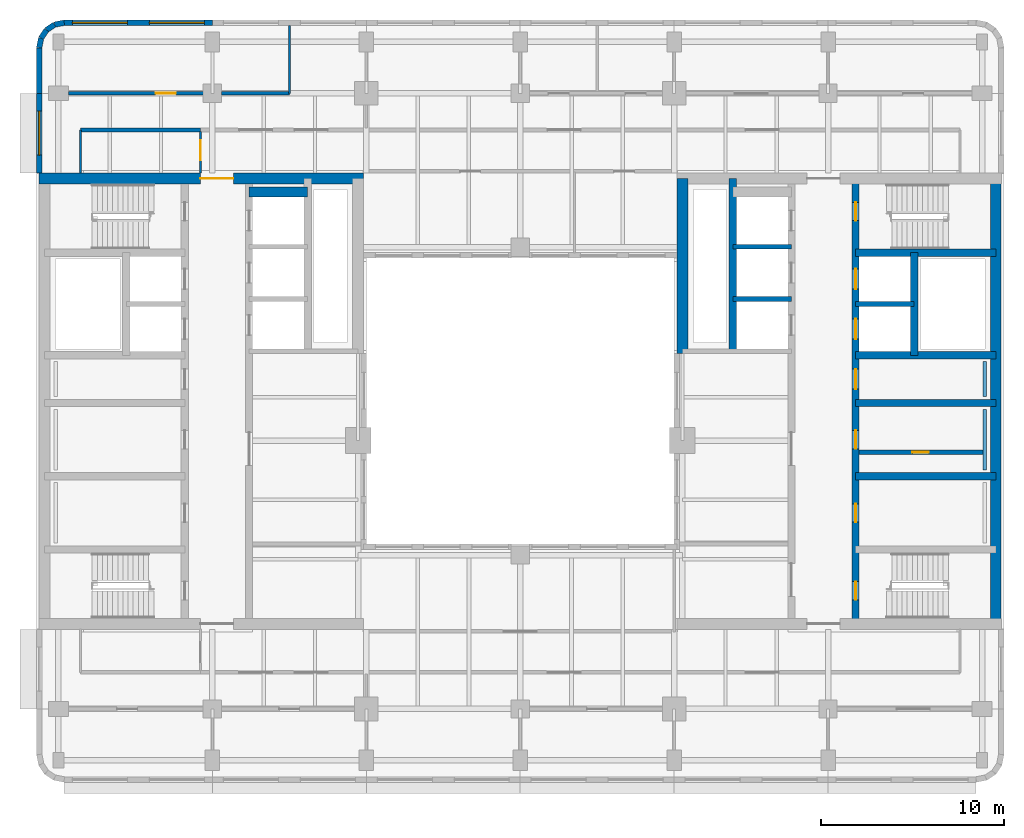
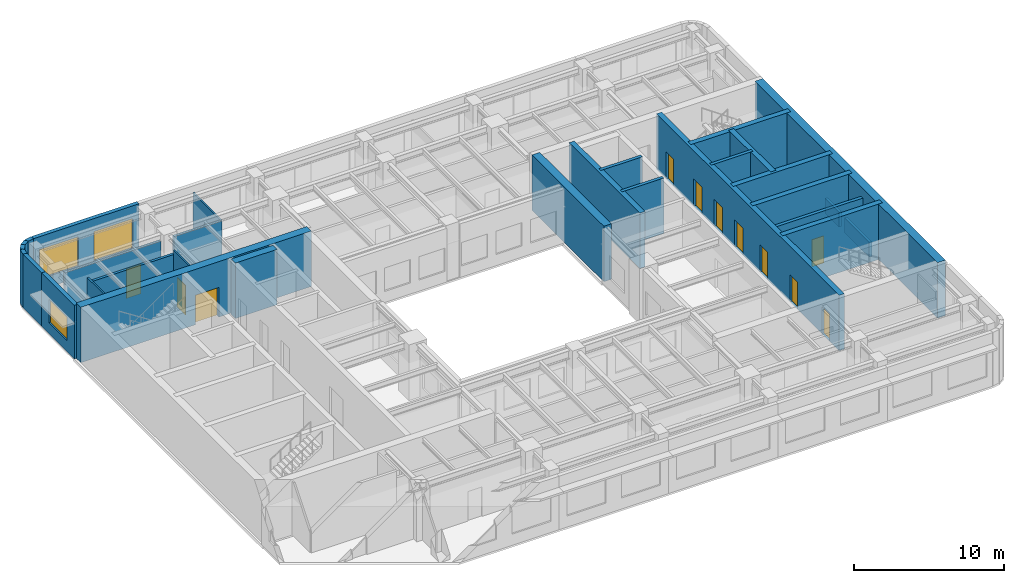
# One storey, part 6 of 11: 30 walls, 11 doors, 3 windows, 14 openings.
"""IFC4 building model written with IfcOpenShell, lengths in metres."""

from ifc_helpers import new_model, si_unit, direction, frame, frame_2d, origin, place, context, subcontext, project, spatial, rectangle, extrude, material, layer, layer_set, type_object, element, fill, save


model = new_model("IFC4")

# Units and contexts
model_context = context("Model", 3, precision=1e-05, world=origin(), true_north=direction((0.0, 1.0)))
body_context = subcontext(model_context, "Body", "Model", "MODEL_VIEW")
ifc_project = project(units=[si_unit("LENGTHUNIT", "METRE"), si_unit("AREAUNIT", "SQUARE_METRE"), si_unit("VOLUMEUNIT", "CUBIC_METRE"), si_unit("PLANEANGLEUNIT", "RADIAN"), si_unit("MASSUNIT", "GRAM", prefix="KILO")], contexts=[model_context])

# Site, building, storey
site_placement = place(None, origin())
site = spatial("IfcSite", under=ifc_project, at=site_placement, CompositionType="ELEMENT")
building_placement = place(site_placement, origin())
building = spatial("IfcBuilding", under=site, at=building_placement, Name="Claustro Exchange Tower", CompositionType="ELEMENT")
storey_placement = place(building_placement, frame((0.0, 0.0, 272.699951171875)))
storey = spatial("IfcBuildingStorey", under=building, at=storey_placement, Name="L62", CompositionType="ELEMENT", Elevation=272.699951171875)

# Wall
ifc_material_1 = material(Name="Laminated glass in aluminium frame", Category="aluminium")
ifc_layer_1 = layer(ifc_material_1, 0.1201171875)
ifc_layer_set_1 = layer_set([ifc_layer_1], Name="Laminated glass in aluminium frame")
wall_type_1 = type_object("IfcWallType", Name="P2 120 glazed partition", PredefinedType="PARTITIONING", material=ifc_layer_set_1)
wall_1_placement = place(storey_placement, frame((12.60009765625, 42.0, 0.0), z_axis=(0.0, 0.0, 1.0), x_axis=(0.0, 1.0, 0.0)))
element("IfcWall", 1, at=wall_1_placement, inside=storey, type_object=wall_type_1, Name="Partition P2 L62", PredefinedType="PARTITIONING", context=body_context, shape_type="SweptSolid", body=[
    extrude(rectangle(XDim=3.701904296875, YDim=0.1201171875, at=frame_2d((1.85107421875, 0.0))), origin(), (0.0, 0.0, 1.0), 3.800048828125),
])

# Wall, opening, door
wall_2_placement = place(storey_placement, frame((7.75, 37.64794921875, 0.0), z_axis=(0.0, 0.0, 1.0), x_axis=(0.0, 1.0, 0.0)))
wall_2 = element("IfcWall", 2, at=wall_2_placement, inside=storey, type_object=wall_type_1, Name="Partition P2 L62", PredefinedType="PARTITIONING", context=body_context, shape_type="SweptSolid", body=[
    extrude(rectangle(XDim=2.254150390625, YDim=0.1201171875, at=frame_2d((1.126953125, 0.0))), origin(), (0.0, 0.0, 1.0), 4.35009765625),
])
opening_1_placement = place(wall_2_placement, frame((0.701904296875, 0.0, 0.0)))
opening_1 = element("IfcOpeningElement", 3, at=opening_1_placement, cuts=wall_2, Name="Opening D8", PredefinedType="OPENING", context=body_context, shape_type="SweptSolid", body=[
    extrude(rectangle(XDim=1.10009765625, YDim=2.39990234375, at=frame_2d((0.550048828125, 1.199951171875))), frame((0.0, 0.070068359375, 0.0), z_axis=(0.0, -1.0, 0.0), x_axis=(1.0, 0.0, 0.0)), (0.0, 0.0, 1.0), 0.14013671875),
])
ifc_material_2 = material(Name="Timber door, walnut veneer", Category="wood")
door_type_1 = type_object("IfcDoorType", Name="D8 1100 x 2400 executive door", OperationType="SINGLE_SWING_LEFT", PredefinedType="DOOR", material=ifc_material_2)
door_1_placement = place(opening_1_placement, origin())
door_1 = element("IfcDoor", 4, at=door_1_placement, inside=storey, type_object=door_type_1, Name="Door D8 L62", OperationType="SINGLE_SWING_RIGHT", OverallHeight=2.39990234375, OverallWidth=1.10009765625, PredefinedType="DOOR", context=body_context, shape_type="SweptSolid", body=[
    extrude(rectangle(XDim=1.10009765625, YDim=2.39990234375, at=frame_2d((0.550048828125, 1.199951171875))), frame((0.0, 0.02490234375, 0.0), z_axis=(0.0, -1.0, 0.0), x_axis=(1.0, 0.0, 0.0)), (0.0, 0.0, 1.0), 0.050048828125),
])
fill(opening_1, door_1)

# Wall
wall_3_placement = place(storey_placement, frame((1.199951171875, 37.64794921875, 0.0), z_axis=(0.0, 0.0, 1.0), x_axis=(0.0, 1.0, 0.0)))
element("IfcWall", 5, at=wall_3_placement, inside=storey, type_object=wall_type_1, Name="Partition P2 L62", PredefinedType="PARTITIONING", context=body_context, shape_type="SweptSolid", body=[
    extrude(rectangle(XDim=2.35205078125, YDim=0.1201171875, at=frame_2d((1.176025390625, 0.0))), origin(), (0.0, 0.0, 1.0), 4.35009765625),
])

# Wall, opening, door
ifc_material_3 = material(Name="Twin-skin gypsum board on steel studs, mineral wool", Category="steel")
ifc_layer_2 = layer(ifc_material_3, 0.199951171875)
ifc_layer_set_2 = layer_set([ifc_layer_2], Name="Twin-skin gypsum board on steel studs, mineral wool")
wall_type_2 = type_object("IfcWallType", Name="P3 200 acoustic partition", PredefinedType="PARTITIONING", material=ifc_layer_set_2)
wall_4_placement = place(storey_placement, frame((0.549072265625, 42.0, 0.0), z_axis=(0.0, 0.0, 1.0), x_axis=(1.0, 0.0, 0.0)))
wall_4 = element("IfcWall", 6, at=wall_4_placement, inside=storey, type_object=wall_type_2, Name="Partition P3 L62", PredefinedType="PARTITIONING", context=body_context, shape_type="SweptSolid", body=[
    extrude(rectangle(XDim=7.351806640625, YDim=0.199951171875, at=frame_2d((3.67578125, 0.0))), origin(), (0.0, 0.0, 1.0), 3.800048828125),
])
opening_2_placement = place(wall_4_placement, frame((4.7509765625, 0.0, 0.0)))
opening_2 = element("IfcOpeningElement", 7, at=opening_2_placement, cuts=wall_4, Name="Opening D8", PredefinedType="OPENING", context=body_context, shape_type="SweptSolid", body=[
    extrude(rectangle(XDim=1.10009765625, YDim=2.39990234375, at=frame_2d((0.550048828125, 1.199951171875))), frame((0.0, 0.10986328125, 0.0), z_axis=(0.0, -1.0, 0.0), x_axis=(1.0, 0.0, 0.0)), (0.0, 0.0, 1.0), 0.219970703125),
])
door_2_placement = place(opening_2_placement, origin())
door_2 = element("IfcDoor", 8, at=door_2_placement, inside=storey, type_object=door_type_1, Name="Door D8 L62", OperationType="SINGLE_SWING_RIGHT", OverallHeight=2.39990234375, OverallWidth=1.10009765625, PredefinedType="DOOR", context=body_context, shape_type="SweptSolid", body=[
    extrude(rectangle(XDim=1.10009765625, YDim=2.39990234375, at=frame_2d((0.550048828125, 1.199951171875))), frame((0.0, 0.02490234375, 0.0), z_axis=(0.0, -1.0, 0.0), x_axis=(1.0, 0.0, 0.0)), (0.0, 0.0, 1.0), 0.050048828125),
])
fill(opening_2, door_2)

# Walls
wall_5_placement = place(storey_placement, frame((8.89892578125, 42.0, 0.0), z_axis=(0.0, 0.0, 1.0), x_axis=(1.0, 0.0, 0.0)))
element("IfcWall", 9, at=wall_5_placement, inside=storey, type_object=wall_type_2, Name="Partition P3 L62", PredefinedType="PARTITIONING", context=body_context, shape_type="SweptSolid", body=[
    extrude(rectangle(XDim=3.701171875, YDim=0.199951171875, at=frame_2d((1.8505859375, 0.0))), origin(), (0.0, 0.0, 1.0), 3.800048828125),
])
wall_6_placement = place(storey_placement, frame((1.199951171875, 40.0, 0.0), z_axis=(0.0, 0.0, 1.0), x_axis=(1.0, 0.0, 0.0)))
element("IfcWall", 10, at=wall_6_placement, inside=storey, type_object=wall_type_2, Name="Partition P3 L62", PredefinedType="PARTITIONING", context=body_context, shape_type="SweptSolid", body=[
    extrude(rectangle(XDim=6.552001953125, YDim=0.199951171875, at=frame_2d((3.27587890625, 0.0))), origin(), (0.0, 0.0, 1.0), 3.989990234375),
])

# Wall, opening, door
ifc_material_4 = material(Name="Concrete blockwork, rendered", Category="masonry")
ifc_layer_3 = layer(ifc_material_4, 0.25)
ifc_layer_set_3 = layer_set([ifc_layer_3], Name="Concrete blockwork, rendered")
wall_type_3 = type_object("IfcWallType", Name="P4 250 blockwork wall", PredefinedType="PARTITIONING", material=ifc_layer_set_3)
wall_7_placement = place(storey_placement, frame((43.699951171875, 22.39990234375, 0.0), z_axis=(0.0, 0.0, 1.0), x_axis=(1.0, 0.0, 0.0)))
wall_7 = element("IfcWall", 11, at=wall_7_placement, inside=storey, type_object=wall_type_3, Name="Partition P4 L62", PredefinedType="PARTITIONING", context=body_context, shape_type="SweptSolid", body=[
    extrude(rectangle(XDim=6.75, YDim=0.25, at=frame_2d((3.375, 0.0))), origin(), (0.0, 0.0, 1.0), 4.300048828125),
])
opening_3_placement = place(wall_7_placement, frame((2.89990234375, 0.0, 0.0)))
opening_3 = element("IfcOpeningElement", 12, at=opening_3_placement, cuts=wall_7, Name="Opening D5", PredefinedType="OPENING", context=body_context, shape_type="SweptSolid", body=[
    extrude(rectangle(XDim=0.89990234375, YDim=2.199951171875, at=frame_2d((0.449951171875, 1.10009765625))), frame((0.0, 0.135009765625, 0.0), z_axis=(0.0, -1.0, 0.0), x_axis=(1.0, 0.0, 0.0)), (0.0, 0.0, 1.0), 0.27001953125),
])
ifc_material_5 = material(Name="Steel door, painted", Category="steel")
door_type_2 = type_object("IfcDoorType", Name="D5 900 x 2200 store door", OperationType="SINGLE_SWING_LEFT", PredefinedType="DOOR", material=ifc_material_5)
door_3_placement = place(opening_3_placement, frame((0.89990234375, 0.0, 0.0), z_axis=(0.0, 0.0, 1.0), x_axis=(-1.0, 0.0, 0.0)))
door_3 = element("IfcDoor", 13, at=door_3_placement, inside=storey, type_object=door_type_2, Name="Store door D5 L62", OperationType="SINGLE_SWING_LEFT", OverallHeight=2.199951171875, OverallWidth=0.89990234375, PredefinedType="DOOR", context=body_context, shape_type="SweptSolid", body=[
    extrude(rectangle(XDim=0.89990234375, YDim=2.199951171875, at=frame_2d((0.449951171875, 1.10009765625))), frame((0.0, 0.02490234375, 0.0), z_axis=(0.0, -1.0, 0.0), x_axis=(1.0, 0.0, 0.0)), (0.0, 0.0, 1.0), 0.050048828125),
])
fill(opening_3, door_3)

# Wall, opening, window
ifc_material_6 = material(Name="Concrete HA-40 (C40/50), precast, white cement, acid-etched", Category="concrete")
ifc_layer_4 = layer(ifc_material_6, 0.300048828125)
ifc_layer_set_4 = layer_set([ifc_layer_4], Name="Concrete HA-40 (C40/50), precast, white cement, acid-etched")
wall_type_4 = type_object("IfcWallType", Name="PC1 300 precast concrete pier panel", PredefinedType="SOLIDWALL", material=ifc_layer_set_4)
wall_8_placement = place(storey_placement, frame((-1.050048828125, 37.64990234375, 0.0), z_axis=(0.0, 0.0, 1.0), x_axis=(0.0, 1.0, 0.0)))
wall_8 = element("IfcWall", 14, at=wall_8_placement, inside=storey, type_object=wall_type_4, Name="Precast pier panel PC1 L62", PredefinedType="SOLIDWALL", context=body_context, shape_type="SweptSolid", body=[
    extrude(rectangle(XDim=4.35009765625, YDim=0.300048828125, at=frame_2d((2.175048828125, 0.0))), origin(), (0.0, 0.0, 1.0), 4.35009765625),
])
opening_4_placement = place(wall_8_placement, frame((0.97509765625, 0.0, 0.89990234375)))
opening_4 = element("IfcOpeningElement", 15, at=opening_4_placement, cuts=wall_8, Name="Opening W2", PredefinedType="OPENING", context=body_context, shape_type="SweptSolid", body=[
    extrude(rectangle(XDim=2.39990234375, YDim=1.89990234375, at=frame_2d((1.199951171875, 0.949951171875))), frame((0.0, 0.159912109375, 0.0), z_axis=(0.0, -1.0, 0.0), x_axis=(1.0, 0.0, 0.0)), (0.0, 0.0, 1.0), 0.320068359375),
])
ifc_material_7 = material(Name="Aluminium frame, clear double glazing", Category="aluminium")
window_type_1 = type_object("IfcWindowType", Name="W2 2400 x 1900 window", PartitioningType="SINGLE_PANEL", PredefinedType="WINDOW", material=ifc_material_7)
window_1_placement = place(opening_4_placement, origin())
window_1 = element("IfcWindow", 16, at=window_1_placement, inside=storey, type_object=window_type_1, Name="Window W2 L62", OverallHeight=1.89990234375, OverallWidth=2.39990234375, PartitioningType="SINGLE_PANEL", PredefinedType="WINDOW", context=body_context, shape_type="SweptSolid", body=[
    extrude(rectangle(XDim=2.39990234375, YDim=1.89990234375, at=frame_2d((1.199951171875, 0.949951171875))), frame((0.0, 0.030029296875, 0.0), z_axis=(0.0, -1.0, 0.0), x_axis=(1.0, 0.0, 0.0)), (0.0, 0.0, 1.0), 0.06005859375),
])
fill(opening_4, window_1)

# Walls
wall_9_placement = place(storey_placement, frame((-1.050048828125, 42.0, 0.0), z_axis=(0.0, 0.0, 1.0), x_axis=(0.0, 1.0, 0.0)))
element("IfcWall", 17, at=wall_9_placement, inside=storey, type_object=wall_type_4, Name="Precast pier panel PC1 L62", PredefinedType="SOLIDWALL", context=body_context, shape_type="SweptSolid", body=[
    extrude(rectangle(XDim=2.485107421875, YDim=0.300048828125, at=frame_2d((1.24267578125, 0.0))), origin(), (0.0, 0.0, 1.0), 4.35009765625),
])
wall_10_placement = place(storey_placement, frame((-1.050048828125, 44.485107421875, 0.0), z_axis=(0.0, 0.0, 1.0), x_axis=(0.195073962632, 0.980788534345, 0.0)))
element("IfcWall", 18, at=wall_10_placement, inside=storey, type_object=wall_type_4, Name="Precast pier panel PC1 L62", PredefinedType="SOLIDWALL", context=body_context, shape_type="SweptSolid", body=[
    extrude(rectangle(XDim=0.540771484375, YDim=0.300048828125, at=frame_2d((0.2705078125, 0.0))), origin(), (0.0, 0.0, 1.0), 4.35009765625),
])
wall_11_placement = place(storey_placement, frame((-0.944580078125, 45.015380859375, 0.0), z_axis=(0.0, 0.0, 1.0), x_axis=(0.55534295404, 0.831621430339, 0.0)))
element("IfcWall", 19, at=wall_11_placement, inside=storey, type_object=wall_type_4, Name="Precast pier panel PC1 L62", PredefinedType="SOLIDWALL", context=body_context, shape_type="SweptSolid", body=[
    extrude(rectangle(XDim=0.52587890625, YDim=0.300048828125, at=frame_2d((0.262939453125, 0.0))), origin(), (0.0, 0.0, 1.0), 4.35009765625),
])
wall_12_placement = place(storey_placement, frame((-0.652587890625, 45.45263671875, 0.0), z_axis=(0.0, 0.0, 1.0), x_axis=(0.831692711774, 0.555236195849, 0.0)))
element("IfcWall", 20, at=wall_12_placement, inside=storey, type_object=wall_type_4, Name="Precast pier panel PC1 L62", PredefinedType="SOLIDWALL", context=body_context, shape_type="SweptSolid", body=[
    extrude(rectangle(XDim=0.525390625, YDim=0.300048828125, at=frame_2d((0.2626953125, 0.0))), origin(), (0.0, 0.0, 1.0), 4.35009765625),
])
wall_13_placement = place(storey_placement, frame((-0.215576171875, 45.744384765625, 0.0), z_axis=(0.0, 0.0, 1.0), x_axis=(0.980702050465, 0.1955082817, 0.0)))
element("IfcWall", 21, at=wall_13_placement, inside=storey, type_object=wall_type_4, Name="Precast pier panel PC1 L62", PredefinedType="SOLIDWALL", context=body_context, shape_type="SweptSolid", body=[
    extrude(rectangle(XDim=0.540771484375, YDim=0.300048828125, at=frame_2d((0.2705078125, 0.0))), origin(), (0.0, 0.0, 1.0), 4.35009765625),
])

# Wall, openings, windows
wall_14_placement = place(storey_placement, frame((0.314697265625, 45.85009765625, 0.0), z_axis=(0.0, 0.0, 1.0), x_axis=(1.0, 0.0, 0.0)))
wall_14 = element("IfcWall", 22, at=wall_14_placement, inside=storey, type_object=wall_type_4, Name="Precast pier panel PC1 L62", PredefinedType="SOLIDWALL", context=body_context, shape_type="SweptSolid", body=[
    extrude(rectangle(XDim=8.085205078125, YDim=0.300048828125, at=frame_2d((4.04248046875, 0.0))), origin(), (0.0, 0.0, 1.0), 4.35009765625),
])
opening_5_placement = place(wall_14_placement, frame((0.442626953125, 0.0, 0.89990234375)))
opening_5 = element("IfcOpeningElement", 23, at=opening_5_placement, cuts=wall_14, Name="Opening W3", PredefinedType="OPENING", context=body_context, shape_type="SweptSolid", body=[
    extrude(rectangle(XDim=3.0, YDim=2.39990234375, at=frame_2d((1.5, 1.199951171875))), frame((0.0, 0.159912109375, 0.0), z_axis=(0.0, -1.0, 0.0), x_axis=(1.0, 0.0, 0.0)), (0.0, 0.0, 1.0), 0.320068359375),
])
opening_6_placement = place(wall_14_placement, frame((4.642578125, 0.0, 0.89990234375)))
opening_6 = element("IfcOpeningElement", 24, at=opening_6_placement, cuts=wall_14, Name="Opening W3", PredefinedType="OPENING", context=body_context, shape_type="SweptSolid", body=[
    extrude(rectangle(XDim=3.0, YDim=2.39990234375, at=frame_2d((1.5, 1.199951171875))), frame((0.0, 0.159912109375, 0.0), z_axis=(0.0, -1.0, 0.0), x_axis=(1.0, 0.0, 0.0)), (0.0, 0.0, 1.0), 0.320068359375),
])
ifc_material_8 = material(Name="Aluminium frame, clear double glazing", Category="aluminium")
window_type_2 = type_object("IfcWindowType", Name="W3 3000 x 2400 window", PartitioningType="SINGLE_PANEL", PredefinedType="WINDOW", material=ifc_material_8)
window_2_placement = place(opening_5_placement, origin())
window_2 = element("IfcWindow", 25, at=window_2_placement, inside=storey, type_object=window_type_2, Name="Window W3 L62", OverallHeight=2.39990234375, OverallWidth=3.0, PartitioningType="SINGLE_PANEL", PredefinedType="WINDOW", context=body_context, shape_type="SweptSolid", body=[
    extrude(rectangle(XDim=3.0, YDim=2.39990234375, at=frame_2d((1.5, 1.199951171875))), frame((0.0, 0.030029296875, 0.0), z_axis=(0.0, -1.0, 0.0), x_axis=(1.0, 0.0, 0.0)), (0.0, 0.0, 1.0), 0.06005859375),
])
fill(opening_5, window_2)
window_3_placement = place(opening_6_placement, origin())
window_3 = element("IfcWindow", 26, at=window_3_placement, inside=storey, type_object=window_type_2, Name="Window W3 L62", OverallHeight=2.39990234375, OverallWidth=3.0, PartitioningType="SINGLE_PANEL", PredefinedType="WINDOW", context=body_context, shape_type="SweptSolid", body=[
    extrude(rectangle(XDim=3.0, YDim=2.39990234375, at=frame_2d((1.5, 1.199951171875))), frame((0.0, 0.030029296875, 0.0), z_axis=(0.0, -1.0, 0.0), x_axis=(1.0, 0.0, 0.0)), (0.0, 0.0, 1.0), 0.06005859375),
])
fill(opening_6, window_3)

# Walls
ifc_material_9 = material(Name="Gypsum board on steel studs, tiled", Category="steel")
ifc_layer_5 = layer(ifc_material_9, 0.199951171875)
ifc_layer_set_5 = layer_set([ifc_layer_5], Name="Gypsum board on steel studs, tiled")
wall_type_5 = type_object("IfcWallType", Name="PW1 200 WC duct wall", PredefinedType="PLUMBINGWALL", material=ifc_layer_set_5)
wall_15_placement = place(storey_placement, frame((50.550048828125, 21.449951171875, 0.0), z_axis=(0.0, 0.0, 1.0), x_axis=(0.0, 1.0, 0.0)))
element("IfcWall", 27, at=wall_15_placement, inside=storey, type_object=wall_type_5, Name="WC duct wall PW1 L62", PredefinedType="PLUMBINGWALL", context=body_context, shape_type="SweptSolid", body=[
    extrude(rectangle(XDim=3.300048828125, YDim=0.199951171875, at=frame_2d((1.64990234375, 0.0))), origin(), (0.0, 0.0, 1.0), 1.199951171875),
])
wall_16_placement = place(storey_placement, frame((50.550048828125, 25.449951171875, 0.0), z_axis=(0.0, 0.0, 1.0), x_axis=(0.0, 1.0, 0.0)))
element("IfcWall", 28, at=wall_16_placement, inside=storey, type_object=wall_type_5, Name="WC duct wall PW1 L62", PredefinedType="PLUMBINGWALL", context=body_context, shape_type="SweptSolid", body=[
    extrude(rectangle(XDim=1.900146484375, YDim=0.199951171875, at=frame_2d((0.9501953125, 0.0))), origin(), (0.0, 0.0, 1.0), 1.199951171875),
])

# Wall, opening, door
ifc_material_10 = material(Name="Concrete HA-50 (C50/60)", Category="concrete")
ifc_layer_6 = layer(ifc_material_10, 0.60009765625)
ifc_layer_set_6 = layer_set([ifc_layer_6], Name="Concrete HA-50 (C50/60)")
wall_type_6 = type_object("IfcWallType", Name="SW3 600 core shear wall", PredefinedType="SHEAR", material=ifc_layer_set_6)
wall_17_placement = place(storey_placement, frame((-1.050048828125, 37.35009765625, 0.0), z_axis=(0.0, 0.0, 1.0), x_axis=(1.0, 0.0, 0.0)))
wall_17 = element("IfcWall", 29, at=wall_17_placement, inside=storey, type_object=wall_type_6, Name="Core wall SW3 W core N face L62", PredefinedType="SHEAR", context=body_context, shape_type="SweptSolid", body=[
    extrude(rectangle(XDim=17.699951171875, YDim=0.60009765625, at=frame_2d((8.85009765625, 0.0))), origin(), (0.0, 0.0, 1.0), 4.5),
])
opening_7_placement = place(wall_17_placement, frame((8.800048828125, 0.0, 0.0)))
opening_7 = element("IfcOpeningElement", 30, at=opening_7_placement, cuts=wall_17, Name="Opening D3", PredefinedType="OPENING", context=body_context, shape_type="SweptSolid", body=[
    extrude(rectangle(XDim=1.800048828125, YDim=2.39990234375, at=frame_2d((0.89990234375, 1.199951171875))), frame((0.0, 0.31005859375, 0.0), z_axis=(0.0, -1.0, 0.0), x_axis=(1.0, 0.0, 0.0)), (0.0, 0.0, 1.0), 0.6201171875),
])
ifc_material_11 = material(Name="Steel fire door, painted", Category="steel")
door_type_3 = type_object("IfcDoorType", Name="D3 1800 x 2400 fire-rated lobby double door", OperationType="DOUBLE_DOOR_SINGLE_SWING", PredefinedType="DOOR", material=ifc_material_11)
door_4_placement = place(opening_7_placement, origin())
door_4 = element("IfcDoor", 31, at=door_4_placement, inside=storey, type_object=door_type_3, Name="Lift lobby door D3 L62", OperationType="DOUBLE_DOOR_SINGLE_SWING", OverallHeight=2.39990234375, OverallWidth=1.800048828125, PredefinedType="DOOR", context=body_context, shape_type="SweptSolid", body=[
    extrude(rectangle(XDim=1.800048828125, YDim=2.39990234375, at=frame_2d((0.89990234375, 1.199951171875))), frame((0.0, 0.02490234375, 0.0), z_axis=(0.0, -1.0, 0.0), x_axis=(1.0, 0.0, 0.0)), (0.0, 0.0, 1.0), 0.050048828125),
])
fill(opening_7, door_4)

# Walls
ifc_material_12 = material(Name="Concrete HA-50 (C50/60)", Category="concrete")
ifc_layer_7 = layer(ifc_material_12, 0.60009765625)
ifc_layer_set_7 = layer_set([ifc_layer_7], Name="Concrete HA-50 (C50/60)")
wall_type_7 = type_object("IfcWallType", Name="SW3X 600 exposed core shear wall, board-marked face", PredefinedType="SHEAR", material=ifc_layer_set_7)
wall_18_placement = place(storey_placement, frame((34.050048828125, 27.800048828125, 0.0), z_axis=(0.0, 0.0, 1.0), x_axis=(0.0, 1.0, 0.0)))
element("IfcWall", 32, at=wall_18_placement, inside=storey, type_object=wall_type_7, Name="Core wall SW3X E core W face L62", PredefinedType="SHEAR", context=body_context, shape_type="SweptSolid", body=[
    extrude(rectangle(XDim=9.550048828125, YDim=0.60009765625, at=frame_2d((4.77490234375, 0.0))), origin(), (0.0, 0.0, 1.0), 4.5),
])
wall_19_placement = place(storey_placement, frame((51.14990234375, 13.050048828125, 0.0), z_axis=(0.0, 0.0, 1.0), x_axis=(0.0, 1.0, 0.0)))
element("IfcWall", 33, at=wall_19_placement, inside=storey, type_object=wall_type_7, Name="Core wall SW3X E core E face L62", PredefinedType="SHEAR", context=body_context, shape_type="SweptSolid", body=[
    extrude(rectangle(XDim=24.300048828125, YDim=0.60009765625, at=frame_2d((12.14990234375, 0.0))), origin(), (0.0, 0.0, 1.0), 4.5),
])

# Wall, openings, doors
ifc_material_13 = material(Name="Concrete HA-50 (C50/60)", Category="concrete")
ifc_layer_8 = layer(ifc_material_13, 0.39990234375)
ifc_layer_set_8 = layer_set([ifc_layer_8], Name="Concrete HA-50 (C50/60)")
wall_type_8 = type_object("IfcWallType", Name="SW4 400 internal core wall", PredefinedType="SHEAR", material=ifc_layer_set_8)
wall_20_placement = place(storey_placement, frame((43.5, 13.050048828125, 0.0), z_axis=(0.0, 0.0, 1.0), x_axis=(0.0, 1.0, 0.0)))
wall_20 = element("IfcWall", 34, at=wall_20_placement, inside=storey, type_object=wall_type_8, Name="Internal core wall SW4 E core L62", PredefinedType="SHEAR", context=body_context, shape_type="SweptSolid", body=[
    extrude(rectangle(XDim=24.300048828125, YDim=0.39990234375, at=frame_2d((12.14990234375, 0.0))), origin(), (0.0, 0.0, 1.0), 4.5),
])
opening_8_placement = place(wall_20_placement, frame((1.300048828125, 0.0, 0.0)))
opening_8 = element("IfcOpeningElement", 35, at=opening_8_placement, cuts=wall_20, Name="Opening D4", PredefinedType="OPENING", context=body_context, shape_type="SweptSolid", body=[
    extrude(rectangle(XDim=1.0, YDim=2.199951171875, at=frame_2d((0.5, 1.10009765625))), frame((0.0, 0.2099609375, 0.0), z_axis=(0.0, -1.0, 0.0), x_axis=(1.0, 0.0, 0.0)), (0.0, 0.0, 1.0), 0.419921875),
])
opening_9_placement = place(wall_20_placement, frame((22.0, 0.0, 0.0)))
opening_9 = element("IfcOpeningElement", 36, at=opening_9_placement, cuts=wall_20, Name="Opening D4", PredefinedType="OPENING", context=body_context, shape_type="SweptSolid", body=[
    extrude(rectangle(XDim=1.0, YDim=2.199951171875, at=frame_2d((0.5, 1.10009765625))), frame((0.0, 0.2099609375, 0.0), z_axis=(0.0, -1.0, 0.0), x_axis=(1.0, 0.0, 0.0)), (0.0, 0.0, 1.0), 0.419921875),
])
opening_10_placement = place(wall_20_placement, frame((5.550048828125, 0.0, 0.0)))
opening_10 = element("IfcOpeningElement", 37, at=opening_10_placement, cuts=wall_20, Name="Opening D1", PredefinedType="OPENING", context=body_context, shape_type="SweptSolid", body=[
    extrude(rectangle(XDim=1.0, YDim=2.199951171875, at=frame_2d((0.5, 1.10009765625))), frame((0.0, 0.2099609375, 0.0), z_axis=(0.0, -1.0, 0.0), x_axis=(1.0, 0.0, 0.0)), (0.0, 0.0, 1.0), 0.419921875),
])
opening_11_placement = place(wall_20_placement, frame((9.550048828125, 0.0, 0.0)))
opening_11 = element("IfcOpeningElement", 38, at=opening_11_placement, cuts=wall_20, Name="Opening D1", PredefinedType="OPENING", context=body_context, shape_type="SweptSolid", body=[
    extrude(rectangle(XDim=1.0, YDim=2.199951171875, at=frame_2d((0.5, 1.10009765625))), frame((0.0, 0.2099609375, 0.0), z_axis=(0.0, -1.0, 0.0), x_axis=(1.0, 0.0, 0.0)), (0.0, 0.0, 1.0), 0.419921875),
])
opening_12_placement = place(wall_20_placement, frame((12.800048828125, 0.0, 0.0)))
opening_12 = element("IfcOpeningElement", 39, at=opening_12_placement, cuts=wall_20, Name="Opening D10", PredefinedType="OPENING", context=body_context, shape_type="SweptSolid", body=[
    extrude(rectangle(XDim=1.10009765625, YDim=2.199951171875, at=frame_2d((0.550048828125, 1.10009765625))), frame((0.0, 0.2099609375, 0.0), z_axis=(0.0, -1.0, 0.0), x_axis=(1.0, 0.0, 0.0)), (0.0, 0.0, 1.0), 0.419921875),
])
opening_13_placement = place(wall_20_placement, frame((15.53759765625, 0.0, 0.0)))
opening_13 = element("IfcOpeningElement", 40, at=opening_13_placement, cuts=wall_20, Name="Opening LD", PredefinedType="OPENING", context=body_context, shape_type="SweptSolid", body=[
    extrude(rectangle(XDim=1.10009765625, YDim=2.199951171875, at=frame_2d((0.550048828125, 1.10009765625))), frame((0.0, 0.2099609375, 0.0), z_axis=(0.0, -1.0, 0.0), x_axis=(1.0, 0.0, 0.0)), (0.0, 0.0, 1.0), 0.419921875),
])
opening_14_placement = place(wall_20_placement, frame((18.262451171875, 0.0, 0.0)))
opening_14 = element("IfcOpeningElement", 41, at=opening_14_placement, cuts=wall_20, Name="Opening LD", PredefinedType="OPENING", context=body_context, shape_type="SweptSolid", body=[
    extrude(rectangle(XDim=1.10009765625, YDim=2.199951171875, at=frame_2d((0.550048828125, 1.10009765625))), frame((0.0, 0.2099609375, 0.0), z_axis=(0.0, -1.0, 0.0), x_axis=(1.0, 0.0, 0.0)), (0.0, 0.0, 1.0), 0.419921875),
])
ifc_material_14 = material(Name="Timber door, oak veneer", Category="wood")
door_type_4 = type_object("IfcDoorType", Name="D1 1000 x 2200 single door", OperationType="SINGLE_SWING_LEFT", PredefinedType="DOOR", material=ifc_material_14)
door_5_placement = place(opening_10_placement, frame((1.0, 0.0, 0.0), z_axis=(0.0, 0.0, 1.0), x_axis=(-1.0, 0.0, 0.0)))
door_5 = element("IfcDoor", 42, at=door_5_placement, inside=storey, type_object=door_type_4, Name="Door D1 L62", OperationType="SINGLE_SWING_LEFT", OverallHeight=2.199951171875, OverallWidth=1.0, PredefinedType="DOOR", context=body_context, shape_type="SweptSolid", body=[
    extrude(rectangle(XDim=1.0, YDim=2.199951171875, at=frame_2d((0.5, 1.10009765625))), frame((0.0, 0.02490234375, 0.0), z_axis=(0.0, -1.0, 0.0), x_axis=(1.0, 0.0, 0.0)), (0.0, 0.0, 1.0), 0.050048828125),
])
fill(opening_10, door_5)
door_6_placement = place(opening_11_placement, frame((1.0, 0.0, 0.0), z_axis=(0.0, 0.0, 1.0), x_axis=(-1.0, 0.0, 0.0)))
door_6 = element("IfcDoor", 43, at=door_6_placement, inside=storey, type_object=door_type_4, Name="Door D1 L62", OperationType="SINGLE_SWING_RIGHT", OverallHeight=2.199951171875, OverallWidth=1.0, PredefinedType="DOOR", context=body_context, shape_type="SweptSolid", body=[
    extrude(rectangle(XDim=1.0, YDim=2.199951171875, at=frame_2d((0.5, 1.10009765625))), frame((0.0, 0.02490234375, 0.0), z_axis=(0.0, -1.0, 0.0), x_axis=(1.0, 0.0, 0.0)), (0.0, 0.0, 1.0), 0.050048828125),
])
fill(opening_11, door_6)
ifc_material_15 = material(Name="Timber door, oak veneer", Category="wood")
door_type_5 = type_object("IfcDoorType", Name="D10 1100 x 2200 accessible WC door", OperationType="SINGLE_SWING_LEFT", PredefinedType="DOOR", material=ifc_material_15)
door_7_placement = place(opening_12_placement, origin())
door_7 = element("IfcDoor", 44, at=door_7_placement, inside=storey, type_object=door_type_5, Name="Accessible WC door D10 L62", OperationType="SINGLE_SWING_RIGHT", OverallHeight=2.199951171875, OverallWidth=1.10009765625, PredefinedType="DOOR", context=body_context, shape_type="SweptSolid", body=[
    extrude(rectangle(XDim=1.10009765625, YDim=2.199951171875, at=frame_2d((0.550048828125, 1.10009765625))), frame((0.0, 0.02490234375, 0.0), z_axis=(0.0, -1.0, 0.0), x_axis=(1.0, 0.0, 0.0)), (0.0, 0.0, 1.0), 0.050048828125),
])
fill(opening_12, door_7)
ifc_material_16 = material(Name="Steel fire door, painted", Category="steel")
door_type_6 = type_object("IfcDoorType", Name="D4 1000 x 2200 fire-rated stair door", OperationType="SINGLE_SWING_LEFT", PredefinedType="DOOR", material=ifc_material_16)
door_8_placement = place(opening_8_placement, frame((1.0, 0.0, 0.0), z_axis=(0.0, 0.0, 1.0), x_axis=(-1.0, 0.0, 0.0)))
door_8 = element("IfcDoor", 45, at=door_8_placement, inside=storey, type_object=door_type_6, Name="Stair door D4 L62", OperationType="SINGLE_SWING_RIGHT", OverallHeight=2.199951171875, OverallWidth=1.0, PredefinedType="DOOR", context=body_context, shape_type="SweptSolid", body=[
    extrude(rectangle(XDim=1.0, YDim=2.199951171875, at=frame_2d((0.5, 1.10009765625))), frame((0.0, 0.02490234375, 0.0), z_axis=(0.0, -1.0, 0.0), x_axis=(1.0, 0.0, 0.0)), (0.0, 0.0, 1.0), 0.050048828125),
])
fill(opening_8, door_8)
door_9_placement = place(opening_9_placement, frame((1.0, 0.0, 0.0), z_axis=(0.0, 0.0, 1.0), x_axis=(-1.0, 0.0, 0.0)))
door_9 = element("IfcDoor", 46, at=door_9_placement, inside=storey, type_object=door_type_6, Name="Stair door D4 L62", OperationType="SINGLE_SWING_LEFT", OverallHeight=2.199951171875, OverallWidth=1.0, PredefinedType="DOOR", context=body_context, shape_type="SweptSolid", body=[
    extrude(rectangle(XDim=1.0, YDim=2.199951171875, at=frame_2d((0.5, 1.10009765625))), frame((0.0, 0.02490234375, 0.0), z_axis=(0.0, -1.0, 0.0), x_axis=(1.0, 0.0, 0.0)), (0.0, 0.0, 1.0), 0.050048828125),
])
fill(opening_9, door_9)
ifc_material_17 = material(Name="Stainless steel sliding door", Category="steel")
door_type_7 = type_object("IfcDoorType", Name="LD 1100 x 2200 lift landing door", OperationType="DOUBLE_DOOR_SLIDING", PredefinedType="DOOR", material=ifc_material_17)
door_10_placement = place(opening_13_placement, origin())
door_10 = element("IfcDoor", 47, at=door_10_placement, inside=storey, type_object=door_type_7, Name="Lift landing door LEE1 LD L62", OperationType="DOUBLE_DOOR_SLIDING", OverallHeight=2.199951171875, OverallWidth=1.10009765625, PredefinedType="DOOR", context=body_context, shape_type="SweptSolid", body=[
    extrude(rectangle(XDim=1.10009765625, YDim=2.199951171875, at=frame_2d((0.550048828125, 1.10009765625))), frame((0.0, 0.02490234375, 0.0), z_axis=(0.0, -1.0, 0.0), x_axis=(1.0, 0.0, 0.0)), (0.0, 0.0, 1.0), 0.050048828125),
])
fill(opening_13, door_10)
door_11_placement = place(opening_14_placement, origin())
door_11 = element("IfcDoor", 48, at=door_11_placement, inside=storey, type_object=door_type_7, Name="Lift landing door LEE2 LD L62", OperationType="DOUBLE_DOOR_SLIDING", OverallHeight=2.199951171875, OverallWidth=1.10009765625, PredefinedType="DOOR", context=body_context, shape_type="SweptSolid", body=[
    extrude(rectangle(XDim=1.10009765625, YDim=2.199951171875, at=frame_2d((0.550048828125, 1.10009765625))), frame((0.0, 0.02490234375, 0.0), z_axis=(0.0, -1.0, 0.0), x_axis=(1.0, 0.0, 0.0)), (0.0, 0.0, 1.0), 0.050048828125),
])
fill(opening_14, door_11)

# Walls
wall_21_placement = place(storey_placement, frame((36.800048828125, 27.925048828125, 0.0), z_axis=(0.0, 0.0, 1.0), x_axis=(0.0, 1.0, 0.0)))
element("IfcWall", 49, at=wall_21_placement, inside=storey, type_object=wall_type_8, Name="Internal core wall SW4 E core L62", PredefinedType="SHEAR", context=body_context, shape_type="SweptSolid", body=[
    extrude(rectangle(XDim=9.425048828125, YDim=0.39990234375, at=frame_2d((4.71240234375, 0.0))), origin(), (0.0, 0.0, 1.0), 4.5),
])
for number, where, z_axis, x_axis, name in (
    (50, (51.14990234375, 21.10009765625, 0.0), (0.0, 0.0, 1.0), (-1.0, 0.0, 0.0), "Internal core wall SW4 E core L62"),
    (51, (51.14990234375, 25.10009765625, 0.0), (0.0, 0.0, 1.0), (-1.0, 0.0, 0.0), "Internal core wall SW4 E core L62"),
    (52, (51.14990234375, 27.699951171875, 0.0), (0.0, 0.0, 1.0), (-1.0, 0.0, 0.0), "Internal core wall SW4 E core L62"),
    (53, (51.14990234375, 33.300048828125, 0.0), (0.0, 0.0, 1.0), (-1.0, 0.0, 0.0), "Internal core wall SW4 E core L62"),
):
    element("IfcWall", number, at=place(storey_placement, frame(where, z_axis=z_axis, x_axis=x_axis)), inside=storey, type_object=wall_type_8, Name=name, PredefinedType="SHEAR", context=body_context, shape_type="SweptSolid", body=[
        extrude(rectangle(XDim=7.64990234375, YDim=0.39990234375, at=frame_2d((3.824951171875, 0.0))), origin(), (0.0, 0.0, 1.0), 4.5),
    ])
wall_22_placement = place(storey_placement, frame((46.699951171875, 27.699951171875, 0.0), z_axis=(0.0, 0.0, 1.0), x_axis=(0.0, 1.0, 0.0)))
element("IfcWall", 54, at=wall_22_placement, inside=storey, type_object=wall_type_8, Name="Internal core wall SW4 E core L62", PredefinedType="SHEAR", context=body_context, shape_type="SweptSolid", body=[
    extrude(rectangle(XDim=5.60009765625, YDim=0.39990234375, at=frame_2d((2.800048828125, 0.0))), origin(), (0.0, 0.0, 1.0), 4.5),
])
ifc_material_18 = material(Name="Concrete HA-50 (C50/60)", Category="concrete")
ifc_layer_9 = layer(ifc_material_18, 0.25)
ifc_layer_set_9 = layer_set([ifc_layer_9], Name="Concrete HA-50 (C50/60)")
wall_type_9 = type_object("IfcWallType", Name="SW5 250 lift shaft divider wall", PredefinedType="SHEAR", material=ifc_layer_set_9)
for number, where, z_axis, x_axis, name in (
    (55, (46.699951171875, 30.5, 0.0), (0.0, 0.0, 1.0), (-1.0, 0.0, 0.0), "Lift shaft wall E core L62"),
    (56, (40.0, 30.77490234375, 0.0), (0.0, 0.0, 1.0), (-1.0, 0.0, 0.0), "Lift shaft wall E core L62"),
    (57, (40.0, 33.625, 0.0), (0.0, 0.0, 1.0), (-1.0, 0.0, 0.0), "Lift shaft wall E core L62"),
):
    element("IfcWall", number, at=place(storey_placement, frame(where, z_axis=z_axis, x_axis=x_axis)), inside=storey, type_object=wall_type_9, Name=name, PredefinedType="SHEAR", context=body_context, shape_type="SweptSolid", body=[
        extrude(rectangle(XDim=3.199951171875, YDim=0.25, at=frame_2d((1.60009765625, 0.0))), origin(), (0.0, 0.0, 1.0), 4.5),
    ])
ifc_material_19 = material(Name="Concrete HA-50 (C50/60)", Category="concrete")
ifc_layer_10 = layer(ifc_material_19, 0.550048828125)
ifc_layer_set_10 = layer_set([ifc_layer_10], Name="Concrete HA-50 (C50/60)")
wall_type_10 = type_object("IfcWallType", Name="SW6 550 lift shaft end wall", PredefinedType="SHEAR", material=ifc_layer_set_10)
wall_23_placement = place(storey_placement, frame((10.39990234375, 36.625, 0.0), z_axis=(0.0, 0.0, 1.0), x_axis=(1.0, 0.0, 0.0)))
element("IfcWall", 58, at=wall_23_placement, inside=storey, type_object=wall_type_10, Name="Lift shaft wall W core L62", PredefinedType="SHEAR", context=body_context, shape_type="SweptSolid", body=[
    extrude(rectangle(XDim=3.2001953125, YDim=0.550048828125, at=frame_2d((1.60009765625, 0.0))), origin(), (0.0, 0.0, 1.0), 4.5),
])

save(model, "model.ifc")
